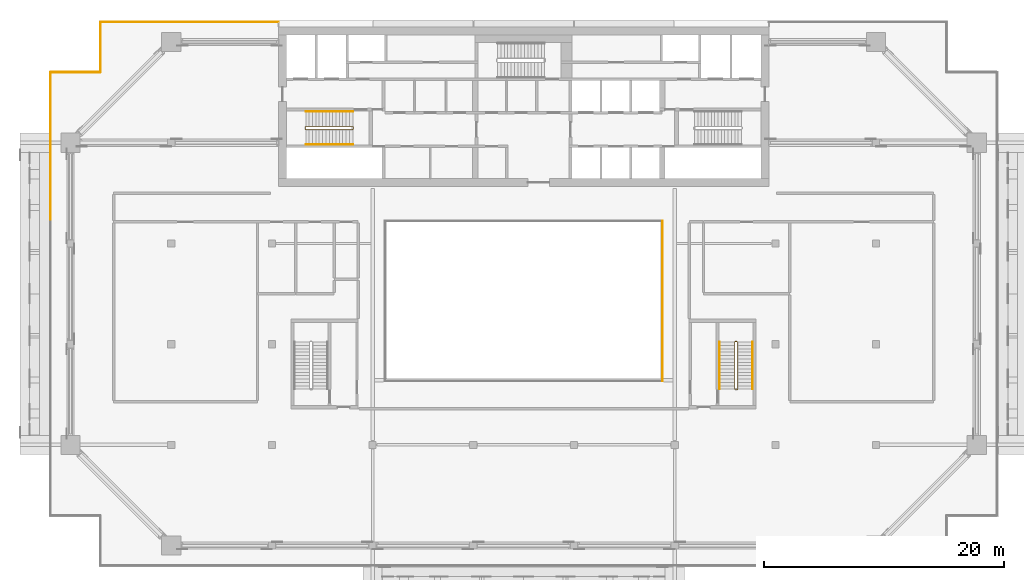
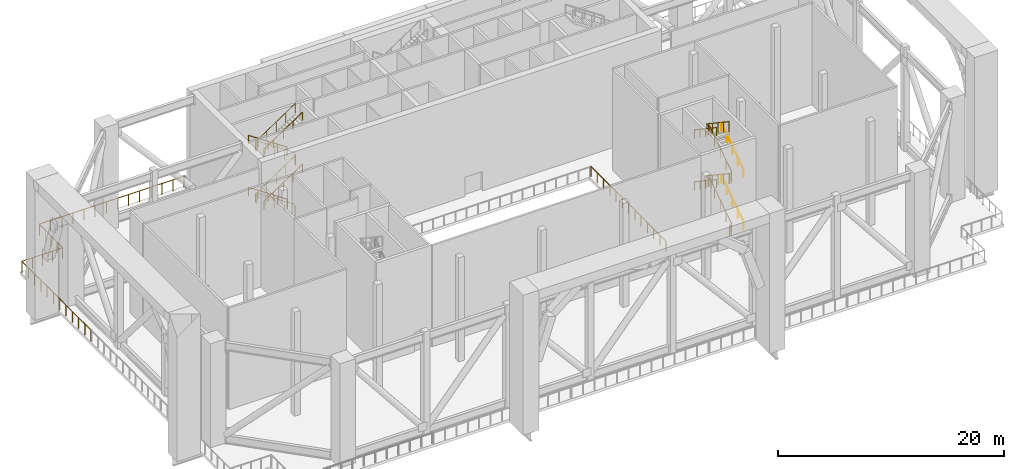
# One storey, part 17 of 19: 15 railings.
"""IFC4 building model written with IfcOpenShell, lengths in metres."""

from ifc_helpers import new_model, si_unit, direction, frame, origin, origin_2d, place, context, subcontext, project, spatial, circle, extrude, material, type_object, element, save


model = new_model("IFC4")

# Units and contexts
model_context = context("Model", 3, precision=1e-05, world=origin(), true_north=direction((0.0, 1.0)))
body_context = subcontext(model_context, "Body", "Model", "MODEL_VIEW")
ifc_project = project(units=[si_unit("LENGTHUNIT", "METRE"), si_unit("AREAUNIT", "SQUARE_METRE"), si_unit("VOLUMEUNIT", "CUBIC_METRE"), si_unit("PLANEANGLEUNIT", "RADIAN"), si_unit("MASSUNIT", "GRAM", prefix="KILO")], contexts=[model_context])

# Site, building, storey
site_placement = place(None, origin())
site = spatial("IfcSite", under=ifc_project, at=site_placement, CompositionType="ELEMENT")
building_placement = place(site_placement, origin())
building = spatial("IfcBuilding", under=site, at=building_placement, Name="Saffron Gate Tower", CompositionType="ELEMENT")
storey_placement = place(building_placement, frame((0.0, 0.0, 194.25)))
storey = spatial("IfcBuildingStorey", under=building, at=storey_placement, Name="L48", CompositionType="ELEMENT", Elevation=194.25)

# Railings
ifc_material_1 = material(Name="Stainless steel and laminated glass", Category="steel")
railing_type_1 = type_object("IfcRailingType", Name="AG1 Atrium edge guard 1100", PredefinedType="GUARDRAIL", material=ifc_material_1)
railing_1_placement = place(storey_placement, frame((99.179931640625, 58.860107421875, 0.0)))
element("IfcRailing", 1, at=railing_1_placement, inside=storey, type_object=railing_type_1, Name="Guard X2-3", PredefinedType="GUARDRAIL", context=body_context, shape_type="SweptSolid", body=[
    extrude(circle(Radius=0.02392578125, at=origin_2d()), frame((0.0, 0.0, 1.076171875), z_axis=(0.0, -1.0, 0.0), x_axis=(1.0, 0.0, 0.0)), (0.0, 0.0, 1.0), 13.320068359375),
    extrude(circle(Radius=0.02099609375, at=origin_2d()), origin(), (0.0, 0.0, 1.0), 1.052001953125),
    extrude(circle(Radius=0.02099609375, at=origin_2d()), frame((0.0, -1.110107421875, 0.0)), (0.0, 0.0, 1.0), 1.052001953125),
    extrude(circle(Radius=0.02099609375, at=origin_2d()), frame((0.0, -2.219970703125, 0.0)), (0.0, 0.0, 1.0), 1.052001953125),
    extrude(circle(Radius=0.02099609375, at=origin_2d()), frame((0.0, -3.330078125, 0.0)), (0.0, 0.0, 1.0), 1.052001953125),
    extrude(circle(Radius=0.02099609375, at=origin_2d()), frame((0.0, -4.43994140625, 0.0)), (0.0, 0.0, 1.0), 1.052001953125),
    extrude(circle(Radius=0.02099609375, at=origin_2d()), frame((0.0, -5.550048828125, 0.0)), (0.0, 0.0, 1.0), 1.052001953125),
    extrude(circle(Radius=0.02099609375, at=origin_2d()), frame((0.0, -6.66015625, 0.0)), (0.0, 0.0, 1.0), 1.052001953125),
    extrude(circle(Radius=0.02099609375, at=origin_2d()), frame((0.0, -7.77001953125, 0.0)), (0.0, 0.0, 1.0), 1.052001953125),
    extrude(circle(Radius=0.02099609375, at=origin_2d()), frame((0.0, -8.880126953125, 0.0)), (0.0, 0.0, 1.0), 1.052001953125),
    extrude(circle(Radius=0.02099609375, at=origin_2d()), frame((0.0, -9.989990234375, 0.0)), (0.0, 0.0, 1.0), 1.052001953125),
    extrude(circle(Radius=0.02099609375, at=origin_2d()), frame((0.0, -11.10009765625, 0.0)), (0.0, 0.0, 1.0), 1.052001953125),
    extrude(circle(Radius=0.02099609375, at=origin_2d()), frame((0.0, -12.2099609375, 0.0)), (0.0, 0.0, 1.0), 1.052001953125),
    extrude(circle(Radius=0.02099609375, at=origin_2d()), frame((0.0, -13.320068359375, 0.0)), (0.0, 0.0, 1.0), 1.052001953125),
])
ifc_material_2 = material(Name="Stainless steel posts and toughened glass infill", Category="steel")
railing_type_2 = type_object("IfcRailingType", Name="BAL1 balustrade 1200", PredefinedType="BALUSTRADE", material=ifc_material_2)
railing_2_placement = place(storey_placement, frame((67.14990234375, 75.47998046875, 0.0)))
element("IfcRailing", 2, at=railing_2_placement, inside=storey, type_object=railing_type_2, Name="GUARD portal deck edge", PredefinedType="BALUSTRADE", context=body_context, shape_type="SweptSolid", body=[
    extrude(circle(Radius=0.02392578125, at=origin_2d()), frame((0.0, 0.0, 1.17578125), z_axis=(-1.0, 0.0, 0.0), x_axis=(0.0, -1.0, 0.0)), (0.0, 0.0, 1.0), 14.789794921875),
    extrude(circle(Radius=0.02099609375, at=origin_2d()), origin(), (0.0, 0.0, 1.0), 1.15185546875),
    extrude(circle(Radius=0.02099609375, at=origin_2d()), frame((-1.1376953125, 0.0, 0.0)), (0.0, 0.0, 1.0), 1.15185546875),
    extrude(circle(Radius=0.02099609375, at=origin_2d()), frame((-2.275390625, 0.0, 0.0)), (0.0, 0.0, 1.0), 1.15185546875),
    extrude(circle(Radius=0.02099609375, at=origin_2d()), frame((-3.4130859375, 0.0, 0.0)), (0.0, 0.0, 1.0), 1.15185546875),
    extrude(circle(Radius=0.02099609375, at=origin_2d()), frame((-4.55078125, 0.0, 0.0)), (0.0, 0.0, 1.0), 1.15185546875),
    extrude(circle(Radius=0.02099609375, at=origin_2d()), frame((-5.6884765625, 0.0, 0.0)), (0.0, 0.0, 1.0), 1.15185546875),
    extrude(circle(Radius=0.02099609375, at=origin_2d()), frame((-6.826171875, 0.0, 0.0)), (0.0, 0.0, 1.0), 1.15185546875),
    extrude(circle(Radius=0.02099609375, at=origin_2d()), frame((-7.963623046875, 0.0, 0.0)), (0.0, 0.0, 1.0), 1.15185546875),
    extrude(circle(Radius=0.02099609375, at=origin_2d()), frame((-9.101318359375, 0.0, 0.0)), (0.0, 0.0, 1.0), 1.15185546875),
    extrude(circle(Radius=0.02099609375, at=origin_2d()), frame((-10.239013671875, 0.0, 0.0)), (0.0, 0.0, 1.0), 1.15185546875),
    extrude(circle(Radius=0.02099609375, at=origin_2d()), frame((-11.376708984375, 0.0, 0.0)), (0.0, 0.0, 1.0), 1.15185546875),
    extrude(circle(Radius=0.02099609375, at=origin_2d()), frame((-12.514404296875, 0.0, 0.0)), (0.0, 0.0, 1.0), 1.15185546875),
    extrude(circle(Radius=0.02099609375, at=origin_2d()), frame((-13.652099609375, 0.0, 0.0)), (0.0, 0.0, 1.0), 1.15185546875),
    extrude(circle(Radius=0.02099609375, at=origin_2d()), frame((-14.789794921875, 0.0, 0.0)), (0.0, 0.0, 1.0), 1.15185546875),
])
railing_3_placement = place(storey_placement, frame((52.320068359375, 75.43994140625, 0.0)))
element("IfcRailing", 3, at=railing_3_placement, inside=storey, type_object=railing_type_2, Name="GUARD portal deck edge", PredefinedType="BALUSTRADE", context=body_context, shape_type="SweptSolid", body=[
    extrude(circle(Radius=0.02392578125, at=origin_2d()), frame((0.0, 0.0, 1.17578125), z_axis=(0.0, -1.0, 0.0), x_axis=(1.0, 0.0, 0.0)), (0.0, 0.0, 1.0), 4.119873046875),
    extrude(circle(Radius=0.02099609375, at=origin_2d()), origin(), (0.0, 0.0, 1.0), 1.15185546875),
    extrude(circle(Radius=0.02099609375, at=origin_2d()), frame((0.0, -1.030029296875, 0.0)), (0.0, 0.0, 1.0), 1.15185546875),
    extrude(circle(Radius=0.02099609375, at=origin_2d()), frame((0.0, -2.06005859375, 0.0)), (0.0, 0.0, 1.0), 1.15185546875),
    extrude(circle(Radius=0.02099609375, at=origin_2d()), frame((0.0, -3.08984375, 0.0)), (0.0, 0.0, 1.0), 1.15185546875),
    extrude(circle(Radius=0.02099609375, at=origin_2d()), frame((0.0, -4.119873046875, 0.0)), (0.0, 0.0, 1.0), 1.15185546875),
])
railing_4_placement = place(storey_placement, frame((52.280029296875, 71.280029296875, 0.0)))
element("IfcRailing", 4, at=railing_4_placement, inside=storey, type_object=railing_type_2, Name="GUARD portal deck edge", PredefinedType="BALUSTRADE", context=body_context, shape_type="SweptSolid", body=[
    extrude(circle(Radius=0.02392578125, at=origin_2d()), frame((0.0, 0.0, 1.17578125), z_axis=(-1.0, 0.0, 0.0), x_axis=(0.0, -1.0, 0.0)), (0.0, 0.0, 1.0), 4.1201171875),
    extrude(circle(Radius=0.02099609375, at=origin_2d()), origin(), (0.0, 0.0, 1.0), 1.15185546875),
    extrude(circle(Radius=0.02099609375, at=origin_2d()), frame((-1.030029296875, 0.0, 0.0)), (0.0, 0.0, 1.0), 1.15185546875),
    extrude(circle(Radius=0.02099609375, at=origin_2d()), frame((-2.06005859375, 0.0, 0.0)), (0.0, 0.0, 1.0), 1.15185546875),
    extrude(circle(Radius=0.02099609375, at=origin_2d()), frame((-3.090087890625, 0.0, 0.0)), (0.0, 0.0, 1.0), 1.15185546875),
    extrude(circle(Radius=0.02099609375, at=origin_2d()), frame((-4.1201171875, 0.0, 0.0)), (0.0, 0.0, 1.0), 1.15185546875),
])
railing_5_placement = place(storey_placement, frame((48.1201171875, 71.239990234375, 0.0)))
element("IfcRailing", 5, at=railing_5_placement, inside=storey, type_object=railing_type_2, Name="GUARD portal deck edge", PredefinedType="BALUSTRADE", context=body_context, shape_type="SweptSolid", body=[
    extrude(circle(Radius=0.02392578125, at=origin_2d()), frame((0.0, 0.0, 1.17578125), z_axis=(0.0, -1.0, 0.0), x_axis=(1.0, 0.0, 0.0)), (0.0, 0.0, 1.0), 12.239990234375),
    extrude(circle(Radius=0.02099609375, at=origin_2d()), origin(), (0.0, 0.0, 1.0), 1.15185546875),
    extrude(circle(Radius=0.02099609375, at=origin_2d()), frame((0.0, -1.11279296875, 0.0)), (0.0, 0.0, 1.0), 1.15185546875),
    extrude(circle(Radius=0.02099609375, at=origin_2d()), frame((0.0, -2.225341796875, 0.0)), (0.0, 0.0, 1.0), 1.15185546875),
    extrude(circle(Radius=0.02099609375, at=origin_2d()), frame((0.0, -3.338134765625, 0.0)), (0.0, 0.0, 1.0), 1.15185546875),
    extrude(circle(Radius=0.02099609375, at=origin_2d()), frame((0.0, -4.450927734375, 0.0)), (0.0, 0.0, 1.0), 1.15185546875),
    extrude(circle(Radius=0.02099609375, at=origin_2d()), frame((0.0, -5.563720703125, 0.0)), (0.0, 0.0, 1.0), 1.15185546875),
    extrude(circle(Radius=0.02099609375, at=origin_2d()), frame((0.0, -6.67626953125, 0.0)), (0.0, 0.0, 1.0), 1.15185546875),
    extrude(circle(Radius=0.02099609375, at=origin_2d()), frame((0.0, -7.7890625, 0.0)), (0.0, 0.0, 1.0), 1.15185546875),
    extrude(circle(Radius=0.02099609375, at=origin_2d()), frame((0.0, -8.90185546875, 0.0)), (0.0, 0.0, 1.0), 1.15185546875),
    extrude(circle(Radius=0.02099609375, at=origin_2d()), frame((0.0, -10.0146484375, 0.0)), (0.0, 0.0, 1.0), 1.15185546875),
    extrude(circle(Radius=0.02099609375, at=origin_2d()), frame((0.0, -11.127197265625, 0.0)), (0.0, 0.0, 1.0), 1.15185546875),
    extrude(circle(Radius=0.02099609375, at=origin_2d()), frame((0.0, -12.239990234375, 0.0)), (0.0, 0.0, 1.0), 1.15185546875),
])
railing_type_3 = type_object("IfcRailingType", Name="CR1 Stair guard 1100", PredefinedType="GUARDRAIL", material=ifc_material_1)
railing_6_placement = place(storey_placement, frame((73.39990234375, 66.550048828125, 0.0)))
element("IfcRailing", 6, at=railing_6_placement, inside=storey, type_object=railing_type_3, Name="L48 ST-A stair guard 1", PredefinedType="GUARDRAIL", context=body_context, shape_type="SweptSolid", body=[
    extrude(circle(Radius=0.02392578125, at=origin_2d()), frame((0.0, 0.0, 1.076171875), z_axis=(0.0, 1.0, 0.0), x_axis=(-1.0, 0.0, 0.0)), (0.0, 0.0, 1.0), 0.14990234375),
    extrude(circle(Radius=0.02392578125, at=origin_2d()), frame((0.0, 0.14990234375, 1.076171875), z_axis=(-0.248583702486, 0.249802250048, 0.935844527007), x_axis=(-0.708833529934, -0.705375805398, 0.0)), (0.0, 0.0, 1.0), 0.200439453125),
    extrude(circle(Radius=0.02392578125, at=origin_2d()), frame((-0.0498046875, 0.199951171875, 1.263671875), z_axis=(-0.830918070988, 0.0, 0.556394787274), x_axis=(0.0, -1.0, 0.0)), (0.0, 0.0, 1.0), 4.7177734375),
    extrude(circle(Radius=0.02392578125, at=origin_2d()), frame((-3.969970703125, 0.199951171875, 3.888671875), z_axis=(-0.707106781187, -0.707106781187, 0.0), x_axis=(0.707106781187, -0.707106781187, 0.0)), (0.0, 0.0, 1.0), 0.07080078125),
    extrude(circle(Radius=0.02392578125, at=origin_2d()), frame((-4.02001953125, 0.14990234375, 3.888671875), z_axis=(0.0, -1.0, 0.0), x_axis=(1.0, 0.0, 0.0)), (0.0, 0.0, 1.0), 0.14990234375),
    extrude(circle(Radius=0.02392578125, at=origin_2d()), frame((-4.02001953125, 0.0, 3.888671875), z_axis=(0.249726431254, -0.249726431254, 0.935560483917), x_axis=(0.707106781187, 0.707106781187, 0.0)), (0.0, 0.0, 1.0), 0.200439453125),
    extrude(circle(Radius=0.02392578125, at=origin_2d()), frame((-3.969970703125, -0.050048828125, 4.076171875), z_axis=(0.830918070988, 0.0, 0.556394787274), x_axis=(0.0, 1.0, 0.0)), (0.0, 0.0, 1.0), 4.7177734375),
    extrude(circle(Radius=0.02392578125, at=origin_2d()), frame((-0.0498046875, -0.050048828125, 6.701171875), z_axis=(0.705375805398, 0.708833529934, 0.0), x_axis=(-0.708833529934, 0.705375805398, 0.0)), (0.0, 0.0, 1.0), 0.070556640625),
    extrude(circle(Radius=0.02392578125, at=origin_2d()), frame((0.0, 0.0, 6.701171875), z_axis=(0.0, 1.0, 0.0), x_axis=(-1.0, 0.0, 0.0)), (0.0, 0.0, 1.0), 0.14990234375),
    extrude(circle(Radius=0.02392578125, at=origin_2d()), frame((0.0, 0.14990234375, 6.701171875), z_axis=(-0.248583702486, 0.249802250048, 0.935844527007), x_axis=(-0.708833529934, -0.705375805398, 0.0)), (0.0, 0.0, 1.0), 0.200439453125),
    extrude(circle(Radius=0.02392578125, at=origin_2d()), frame((-0.0498046875, 0.199951171875, 6.888671875), z_axis=(-0.830918070988, 0.0, 0.556394787274), x_axis=(0.0, -1.0, 0.0)), (0.0, 0.0, 1.0), 4.7177734375),
    extrude(circle(Radius=0.02392578125, at=origin_2d()), frame((-3.969970703125, 0.199951171875, 9.513671875), z_axis=(-0.707106781187, -0.707106781187, 0.0), x_axis=(0.707106781187, -0.707106781187, 0.0)), (0.0, 0.0, 1.0), 0.07080078125),
    extrude(circle(Radius=0.02392578125, at=origin_2d()), frame((-4.02001953125, 0.14990234375, 9.513671875), z_axis=(0.0, -1.0, 0.0), x_axis=(1.0, 0.0, 0.0)), (0.0, 0.0, 1.0), 0.14990234375),
    extrude(circle(Radius=0.02392578125, at=origin_2d()), frame((-4.02001953125, 0.0, 9.513671875), z_axis=(0.249726431254, -0.249726431254, 0.935560483917), x_axis=(0.707106781187, 0.707106781187, 0.0)), (0.0, 0.0, 1.0), 0.200439453125),
    extrude(circle(Radius=0.02392578125, at=origin_2d()), frame((-3.969970703125, -0.050048828125, 9.701171875), z_axis=(0.830918070988, 0.0, 0.556394787274), x_axis=(0.0, 1.0, 0.0)), (0.0, 0.0, 1.0), 4.7177734375),
    extrude(circle(Radius=0.02099609375, at=origin_2d()), origin(), (0.0, 0.0, 1.0), 1.052001953125),
    extrude(circle(Radius=0.02099609375, at=origin_2d()), frame((0.0, 0.14990234375, 0.0)), (0.0, 0.0, 1.0), 1.052001953125),
    extrude(circle(Radius=0.02099609375, at=origin_2d()), frame((-0.0498046875, 0.199951171875, 0.1875)), (0.0, 0.0, 1.0), 1.052001953125),
    extrude(circle(Radius=0.02099609375, at=origin_2d()), frame((-1.02978515625, 0.199951171875, 0.84375)), (0.0, 0.0, 1.0), 1.052001953125),
    extrude(circle(Radius=0.02099609375, at=origin_2d()), frame((-2.009765625, 0.199951171875, 1.5)), (0.0, 0.0, 1.0), 1.052001953125),
    extrude(circle(Radius=0.02099609375, at=origin_2d()), frame((-2.989990234375, 0.199951171875, 2.15625)), (0.0, 0.0, 1.0), 1.052001953125),
    extrude(circle(Radius=0.02099609375, at=origin_2d()), frame((-3.969970703125, 0.199951171875, 2.8125)), (0.0, 0.0, 1.0), 1.052001953125),
    extrude(circle(Radius=0.02099609375, at=origin_2d()), frame((-4.02001953125, 0.14990234375, 2.8125)), (0.0, 0.0, 1.0), 1.052001953125),
    extrude(circle(Radius=0.02099609375, at=origin_2d()), frame((-4.02001953125, 0.0, 2.8125)), (0.0, 0.0, 1.0), 1.052001953125),
    extrude(circle(Radius=0.02099609375, at=origin_2d()), frame((-3.969970703125, -0.050048828125, 3.0)), (0.0, 0.0, 1.0), 1.052001953125),
    extrude(circle(Radius=0.02099609375, at=origin_2d()), frame((-2.989990234375, -0.050048828125, 3.65625)), (0.0, 0.0, 1.0), 1.052001953125),
    extrude(circle(Radius=0.02099609375, at=origin_2d()), frame((-2.009765625, -0.050048828125, 4.3125)), (0.0, 0.0, 1.0), 1.052001953125),
    extrude(circle(Radius=0.02099609375, at=origin_2d()), frame((-1.02978515625, -0.050048828125, 4.96875)), (0.0, 0.0, 1.0), 1.052001953125),
    extrude(circle(Radius=0.02099609375, at=origin_2d()), frame((-0.0498046875, -0.050048828125, 5.625)), (0.0, 0.0, 1.0), 1.052001953125),
    extrude(circle(Radius=0.02099609375, at=origin_2d()), frame((0.0, 0.0, 5.625)), (0.0, 0.0, 1.0), 1.052001953125),
    extrude(circle(Radius=0.02099609375, at=origin_2d()), frame((0.0, 0.14990234375, 5.625)), (0.0, 0.0, 1.0), 1.052001953125),
    extrude(circle(Radius=0.02099609375, at=origin_2d()), frame((-0.0498046875, 0.199951171875, 5.8125)), (0.0, 0.0, 1.0), 1.052001953125),
    extrude(circle(Radius=0.02099609375, at=origin_2d()), frame((-1.02978515625, 0.199951171875, 6.46875)), (0.0, 0.0, 1.0), 1.052001953125),
    extrude(circle(Radius=0.02099609375, at=origin_2d()), frame((-2.009765625, 0.199951171875, 7.125)), (0.0, 0.0, 1.0), 1.052001953125),
    extrude(circle(Radius=0.02099609375, at=origin_2d()), frame((-2.989990234375, 0.199951171875, 7.78125)), (0.0, 0.0, 1.0), 1.052001953125),
    extrude(circle(Radius=0.02099609375, at=origin_2d()), frame((-3.969970703125, 0.199951171875, 8.4375)), (0.0, 0.0, 1.0), 1.052001953125),
    extrude(circle(Radius=0.02099609375, at=origin_2d()), frame((-4.02001953125, 0.14990234375, 8.4375)), (0.0, 0.0, 1.0), 1.052001953125),
    extrude(circle(Radius=0.02099609375, at=origin_2d()), frame((-4.02001953125, 0.0, 8.4375)), (0.0, 0.0, 1.0), 1.052001953125),
    extrude(circle(Radius=0.02099609375, at=origin_2d()), frame((-3.969970703125, -0.050048828125, 8.625)), (0.0, 0.0, 1.0), 1.052001953125),
    extrude(circle(Radius=0.02099609375, at=origin_2d()), frame((-2.989990234375, -0.050048828125, 9.28125)), (0.0, 0.0, 1.0), 1.052001953125),
    extrude(circle(Radius=0.02099609375, at=origin_2d()), frame((-2.009765625, -0.050048828125, 9.9375)), (0.0, 0.0, 1.0), 1.052001953125),
    extrude(circle(Radius=0.02099609375, at=origin_2d()), frame((-1.02978515625, -0.050048828125, 10.59375)), (0.0, 0.0, 1.0), 1.052001953125),
    extrude(circle(Radius=0.02099609375, at=origin_2d()), frame((-0.0498046875, -0.050048828125, 11.25)), (0.0, 0.0, 1.0), 1.052001953125),
])
railing_7_placement = place(storey_placement, frame((105.25, 44.800048828125, 0.0)))
element("IfcRailing", 7, at=railing_7_placement, inside=storey, type_object=railing_type_3, Name="L48 ST-E stair guard 1", PredefinedType="GUARDRAIL", context=body_context, shape_type="SweptSolid", body=[
    extrude(circle(Radius=0.02392578125, at=origin_2d()), frame((0.0, 0.0, 1.076171875), z_axis=(1.0, 0.0, 0.0), x_axis=(0.0, 1.0, 0.0)), (0.0, 0.0, 1.0), 0.14990234375),
    extrude(circle(Radius=0.02392578125, at=origin_2d()), frame((0.14990234375, 0.0, 1.076171875), z_axis=(0.249726431254, 0.249726431254, 0.935560483917), x_axis=(-0.707106781187, 0.707106781187, 0.0)), (0.0, 0.0, 1.0), 0.200439453125),
    extrude(circle(Radius=0.02392578125, at=origin_2d()), frame((0.199951171875, 0.050048828125, 1.263671875), z_axis=(0.0, 0.830902050051, 0.556418712142), x_axis=(-1.0, 0.0, 0.0)), (0.0, 0.0, 1.0), 4.7177734375),
    extrude(circle(Radius=0.02392578125, at=origin_2d()), frame((0.199951171875, 3.969970703125, 3.888671875), z_axis=(-0.707106781187, 0.707106781187, 0.0), x_axis=(-0.707106781187, -0.707106781187, 0.0)), (0.0, 0.0, 1.0), 0.07080078125),
    extrude(circle(Radius=0.02392578125, at=origin_2d()), frame((0.14990234375, 4.02001953125, 3.888671875), z_axis=(-1.0, 0.0, 0.0), x_axis=(0.0, -1.0, 0.0)), (0.0, 0.0, 1.0), 0.14990234375),
    extrude(circle(Radius=0.02392578125, at=origin_2d()), frame((0.0, 4.02001953125, 3.888671875), z_axis=(-0.249726431254, -0.249726431254, 0.935560483917), x_axis=(0.707106781187, -0.707106781187, 0.0)), (0.0, 0.0, 1.0), 0.200439453125),
    extrude(circle(Radius=0.02392578125, at=origin_2d()), frame((-0.050048828125, 3.969970703125, 4.076171875), z_axis=(0.0, -0.830902050051, 0.556418712142), x_axis=(1.0, 0.0, 0.0)), (0.0, 0.0, 1.0), 4.7177734375),
    extrude(circle(Radius=0.02392578125, at=origin_2d()), frame((-0.050048828125, 0.050048828125, 6.701171875), z_axis=(0.707106781187, -0.707106781187, 0.0), x_axis=(0.707106781187, 0.707106781187, 0.0)), (0.0, 0.0, 1.0), 0.07080078125),
    extrude(circle(Radius=0.02392578125, at=origin_2d()), frame((0.0, 0.0, 6.701171875), z_axis=(1.0, 0.0, 0.0), x_axis=(0.0, 1.0, 0.0)), (0.0, 0.0, 1.0), 0.14990234375),
    extrude(circle(Radius=0.02392578125, at=origin_2d()), frame((0.14990234375, 0.0, 6.701171875), z_axis=(0.249726431254, 0.249726431254, 0.935560483917), x_axis=(-0.707106781187, 0.707106781187, 0.0)), (0.0, 0.0, 1.0), 0.200439453125),
    extrude(circle(Radius=0.02392578125, at=origin_2d()), frame((0.199951171875, 0.050048828125, 6.888671875), z_axis=(0.0, 0.830902050051, 0.556418712142), x_axis=(-1.0, 0.0, 0.0)), (0.0, 0.0, 1.0), 4.7177734375),
    extrude(circle(Radius=0.02392578125, at=origin_2d()), frame((0.199951171875, 3.969970703125, 9.513671875), z_axis=(-0.707106781187, 0.707106781187, 0.0), x_axis=(-0.707106781187, -0.707106781187, 0.0)), (0.0, 0.0, 1.0), 0.07080078125),
    extrude(circle(Radius=0.02392578125, at=origin_2d()), frame((0.14990234375, 4.02001953125, 9.513671875), z_axis=(-1.0, 0.0, 0.0), x_axis=(0.0, -1.0, 0.0)), (0.0, 0.0, 1.0), 0.14990234375),
    extrude(circle(Radius=0.02392578125, at=origin_2d()), frame((0.0, 4.02001953125, 9.513671875), z_axis=(-0.249726431254, -0.249726431254, 0.935560483917), x_axis=(0.707106781187, -0.707106781187, 0.0)), (0.0, 0.0, 1.0), 0.200439453125),
    extrude(circle(Radius=0.02392578125, at=origin_2d()), frame((-0.050048828125, 3.969970703125, 9.701171875), z_axis=(0.0, -0.830902050051, 0.556418712142), x_axis=(1.0, 0.0, 0.0)), (0.0, 0.0, 1.0), 4.7177734375),
    extrude(circle(Radius=0.02099609375, at=origin_2d()), origin(), (0.0, 0.0, 1.0), 1.052001953125),
    extrude(circle(Radius=0.02099609375, at=origin_2d()), frame((0.14990234375, 0.0, 0.0)), (0.0, 0.0, 1.0), 1.052001953125),
    extrude(circle(Radius=0.02099609375, at=origin_2d()), frame((0.199951171875, 0.050048828125, 0.1875)), (0.0, 0.0, 1.0), 1.052001953125),
    extrude(circle(Radius=0.02099609375, at=origin_2d()), frame((0.199951171875, 1.030029296875, 0.84375)), (0.0, 0.0, 1.0), 1.052001953125),
    extrude(circle(Radius=0.02099609375, at=origin_2d()), frame((0.199951171875, 2.010009765625, 1.5)), (0.0, 0.0, 1.0), 1.052001953125),
    extrude(circle(Radius=0.02099609375, at=origin_2d()), frame((0.199951171875, 2.989990234375, 2.15625)), (0.0, 0.0, 1.0), 1.052001953125),
    extrude(circle(Radius=0.02099609375, at=origin_2d()), frame((0.199951171875, 3.969970703125, 2.8125)), (0.0, 0.0, 1.0), 1.052001953125),
    extrude(circle(Radius=0.02099609375, at=origin_2d()), frame((0.14990234375, 4.02001953125, 2.8125)), (0.0, 0.0, 1.0), 1.052001953125),
    extrude(circle(Radius=0.02099609375, at=origin_2d()), frame((0.0, 4.02001953125, 2.8125)), (0.0, 0.0, 1.0), 1.052001953125),
    extrude(circle(Radius=0.02099609375, at=origin_2d()), frame((-0.050048828125, 3.969970703125, 3.0)), (0.0, 0.0, 1.0), 1.052001953125),
    extrude(circle(Radius=0.02099609375, at=origin_2d()), frame((-0.050048828125, 2.989990234375, 3.65625)), (0.0, 0.0, 1.0), 1.052001953125),
    extrude(circle(Radius=0.02099609375, at=origin_2d()), frame((-0.050048828125, 2.010009765625, 4.3125)), (0.0, 0.0, 1.0), 1.052001953125),
    extrude(circle(Radius=0.02099609375, at=origin_2d()), frame((-0.050048828125, 1.030029296875, 4.96875)), (0.0, 0.0, 1.0), 1.052001953125),
    extrude(circle(Radius=0.02099609375, at=origin_2d()), frame((-0.050048828125, 0.050048828125, 5.625)), (0.0, 0.0, 1.0), 1.052001953125),
    extrude(circle(Radius=0.02099609375, at=origin_2d()), frame((0.0, 0.0, 5.625)), (0.0, 0.0, 1.0), 1.052001953125),
    extrude(circle(Radius=0.02099609375, at=origin_2d()), frame((0.14990234375, 0.0, 5.625)), (0.0, 0.0, 1.0), 1.052001953125),
    extrude(circle(Radius=0.02099609375, at=origin_2d()), frame((0.199951171875, 0.050048828125, 5.8125)), (0.0, 0.0, 1.0), 1.052001953125),
    extrude(circle(Radius=0.02099609375, at=origin_2d()), frame((0.199951171875, 1.030029296875, 6.46875)), (0.0, 0.0, 1.0), 1.052001953125),
    extrude(circle(Radius=0.02099609375, at=origin_2d()), frame((0.199951171875, 2.010009765625, 7.125)), (0.0, 0.0, 1.0), 1.052001953125),
    extrude(circle(Radius=0.02099609375, at=origin_2d()), frame((0.199951171875, 2.989990234375, 7.78125)), (0.0, 0.0, 1.0), 1.052001953125),
    extrude(circle(Radius=0.02099609375, at=origin_2d()), frame((0.199951171875, 3.969970703125, 8.4375)), (0.0, 0.0, 1.0), 1.052001953125),
    extrude(circle(Radius=0.02099609375, at=origin_2d()), frame((0.14990234375, 4.02001953125, 8.4375)), (0.0, 0.0, 1.0), 1.052001953125),
    extrude(circle(Radius=0.02099609375, at=origin_2d()), frame((0.0, 4.02001953125, 8.4375)), (0.0, 0.0, 1.0), 1.052001953125),
    extrude(circle(Radius=0.02099609375, at=origin_2d()), frame((-0.050048828125, 3.969970703125, 8.625)), (0.0, 0.0, 1.0), 1.052001953125),
    extrude(circle(Radius=0.02099609375, at=origin_2d()), frame((-0.050048828125, 2.989990234375, 9.28125)), (0.0, 0.0, 1.0), 1.052001953125),
    extrude(circle(Radius=0.02099609375, at=origin_2d()), frame((-0.050048828125, 2.010009765625, 9.9375)), (0.0, 0.0, 1.0), 1.052001953125),
    extrude(circle(Radius=0.02099609375, at=origin_2d()), frame((-0.050048828125, 1.030029296875, 10.59375)), (0.0, 0.0, 1.0), 1.052001953125),
    extrude(circle(Radius=0.02099609375, at=origin_2d()), frame((-0.050048828125, 0.050048828125, 11.25)), (0.0, 0.0, 1.0), 1.052001953125),
])
ifc_material_3 = material(Name="Stainless steel", Category="steel")
railing_type_4 = type_object("IfcRailingType", Name="CR2 Stair handrail 900", PredefinedType="HANDRAIL", material=ifc_material_3)
railing_8_placement = place(storey_placement, frame((73.35009765625, 68.0, 0.1875)))
element("IfcRailing", 8, at=railing_8_placement, inside=storey, type_object=railing_type_4, Name="L48 ST-A stair handrail 1", PredefinedType="HANDRAIL", context=body_context, shape_type="SweptSolid", body=[
    extrude(circle(Radius=0.02392578125, at=origin_2d()), frame((0.0, 0.0, 0.8759765625), z_axis=(-0.830918070988, 0.0, 0.556394787274), x_axis=(0.0, -1.0, 0.0)), (0.0, 0.0, 1.0), 4.7177734375),
    extrude(circle(Radius=0.02099609375, at=origin_2d()), origin(), (0.0, 0.0, 1.0), 0.851806640625),
    extrude(circle(Radius=0.02099609375, at=origin_2d()), frame((-0.97998046875, 0.0, 0.65625)), (0.0, 0.0, 1.0), 0.851806640625),
    extrude(circle(Radius=0.02099609375, at=origin_2d()), frame((-1.9599609375, 0.0, 1.3125)), (0.0, 0.0, 1.0), 0.851806640625),
    extrude(circle(Radius=0.02099609375, at=origin_2d()), frame((-2.940185546875, 0.0, 1.96875)), (0.0, 0.0, 1.0), 0.851806640625),
    extrude(circle(Radius=0.02099609375, at=origin_2d()), frame((-3.920166015625, 0.0, 2.625)), (0.0, 0.0, 1.0), 0.851806640625),
])
railing_9_placement = place(storey_placement, frame((69.429931640625, 65.25, 3.0)))
element("IfcRailing", 9, at=railing_9_placement, inside=storey, type_object=railing_type_4, Name="L48 ST-A stair handrail 2", PredefinedType="HANDRAIL", context=body_context, shape_type="SweptSolid", body=[
    extrude(circle(Radius=0.02392578125, at=origin_2d()), frame((0.0, 0.0, 0.8759765625), z_axis=(0.830918070988, 0.0, 0.556394787274), x_axis=(0.0, 1.0, 0.0)), (0.0, 0.0, 1.0), 4.7177734375),
    extrude(circle(Radius=0.02099609375, at=origin_2d()), origin(), (0.0, 0.0, 1.0), 0.851806640625),
    extrude(circle(Radius=0.02099609375, at=origin_2d()), frame((0.97998046875, 0.0, 0.65625)), (0.0, 0.0, 1.0), 0.851806640625),
    extrude(circle(Radius=0.02099609375, at=origin_2d()), frame((1.9599609375, 0.0, 1.3125)), (0.0, 0.0, 1.0), 0.851806640625),
    extrude(circle(Radius=0.02099609375, at=origin_2d()), frame((2.940185546875, 0.0, 1.96875)), (0.0, 0.0, 1.0), 0.851806640625),
    extrude(circle(Radius=0.02099609375, at=origin_2d()), frame((3.920166015625, 0.0, 2.625)), (0.0, 0.0, 1.0), 0.851806640625),
])
railing_10_placement = place(storey_placement, frame((73.35009765625, 68.0, 5.8125)))
element("IfcRailing", 10, at=railing_10_placement, inside=storey, type_object=railing_type_4, Name="L48 ST-A stair handrail 3", PredefinedType="HANDRAIL", context=body_context, shape_type="SweptSolid", body=[
    extrude(circle(Radius=0.02392578125, at=origin_2d()), frame((0.0, 0.0, 0.8759765625), z_axis=(-0.830918070988, 0.0, 0.556394787274), x_axis=(0.0, -1.0, 0.0)), (0.0, 0.0, 1.0), 4.7177734375),
    extrude(circle(Radius=0.02099609375, at=origin_2d()), origin(), (0.0, 0.0, 1.0), 0.851806640625),
    extrude(circle(Radius=0.02099609375, at=origin_2d()), frame((-0.97998046875, 0.0, 0.65625)), (0.0, 0.0, 1.0), 0.851806640625),
    extrude(circle(Radius=0.02099609375, at=origin_2d()), frame((-1.9599609375, 0.0, 1.3125)), (0.0, 0.0, 1.0), 0.851806640625),
    extrude(circle(Radius=0.02099609375, at=origin_2d()), frame((-2.940185546875, 0.0, 1.96875)), (0.0, 0.0, 1.0), 0.851806640625),
    extrude(circle(Radius=0.02099609375, at=origin_2d()), frame((-3.920166015625, 0.0, 2.625)), (0.0, 0.0, 1.0), 0.851806640625),
])
railing_11_placement = place(storey_placement, frame((69.429931640625, 65.25, 8.625)))
element("IfcRailing", 11, at=railing_11_placement, inside=storey, type_object=railing_type_4, Name="L48 ST-A stair handrail 4", PredefinedType="HANDRAIL", context=body_context, shape_type="SweptSolid", body=[
    extrude(circle(Radius=0.02392578125, at=origin_2d()), frame((0.0, 0.0, 0.8759765625), z_axis=(0.830918070988, 0.0, 0.556394787274), x_axis=(0.0, 1.0, 0.0)), (0.0, 0.0, 1.0), 4.7177734375),
    extrude(circle(Radius=0.02099609375, at=origin_2d()), origin(), (0.0, 0.0, 1.0), 0.851806640625),
    extrude(circle(Radius=0.02099609375, at=origin_2d()), frame((0.97998046875, 0.0, 0.65625)), (0.0, 0.0, 1.0), 0.851806640625),
    extrude(circle(Radius=0.02099609375, at=origin_2d()), frame((1.9599609375, 0.0, 1.3125)), (0.0, 0.0, 1.0), 0.851806640625),
    extrude(circle(Radius=0.02099609375, at=origin_2d()), frame((2.940185546875, 0.0, 1.96875)), (0.0, 0.0, 1.0), 0.851806640625),
    extrude(circle(Radius=0.02099609375, at=origin_2d()), frame((3.920166015625, 0.0, 2.625)), (0.0, 0.0, 1.0), 0.851806640625),
])
railing_12_placement = place(storey_placement, frame((106.699951171875, 44.85009765625, 0.1875)))
element("IfcRailing", 12, at=railing_12_placement, inside=storey, type_object=railing_type_4, Name="L48 ST-E stair handrail 1", PredefinedType="HANDRAIL", context=body_context, shape_type="SweptSolid", body=[
    extrude(circle(Radius=0.02392578125, at=origin_2d()), frame((0.0, 0.0, 0.8759765625), z_axis=(0.0, 0.830902050051, 0.556418712142), x_axis=(-1.0, 0.0, 0.0)), (0.0, 0.0, 1.0), 4.7177734375),
    extrude(circle(Radius=0.02099609375, at=origin_2d()), origin(), (0.0, 0.0, 1.0), 0.851806640625),
    extrude(circle(Radius=0.02099609375, at=origin_2d()), frame((0.0, 0.97998046875, 0.65625)), (0.0, 0.0, 1.0), 0.851806640625),
    extrude(circle(Radius=0.02099609375, at=origin_2d()), frame((0.0, 1.9599609375, 1.3125)), (0.0, 0.0, 1.0), 0.851806640625),
    extrude(circle(Radius=0.02099609375, at=origin_2d()), frame((0.0, 2.93994140625, 1.96875)), (0.0, 0.0, 1.0), 0.851806640625),
    extrude(circle(Radius=0.02099609375, at=origin_2d()), frame((0.0, 3.919921875, 2.625)), (0.0, 0.0, 1.0), 0.851806640625),
])
railing_13_placement = place(storey_placement, frame((103.949951171875, 48.77001953125, 3.0)))
element("IfcRailing", 13, at=railing_13_placement, inside=storey, type_object=railing_type_4, Name="L48 ST-E stair handrail 2", PredefinedType="HANDRAIL", context=body_context, shape_type="SweptSolid", body=[
    extrude(circle(Radius=0.02392578125, at=origin_2d()), frame((0.0, 0.0, 0.8759765625), z_axis=(0.0, -0.830902050051, 0.556418712142), x_axis=(1.0, 0.0, 0.0)), (0.0, 0.0, 1.0), 4.7177734375),
    extrude(circle(Radius=0.02099609375, at=origin_2d()), origin(), (0.0, 0.0, 1.0), 0.851806640625),
    extrude(circle(Radius=0.02099609375, at=origin_2d()), frame((0.0, -0.97998046875, 0.65625)), (0.0, 0.0, 1.0), 0.851806640625),
    extrude(circle(Radius=0.02099609375, at=origin_2d()), frame((0.0, -1.9599609375, 1.3125)), (0.0, 0.0, 1.0), 0.851806640625),
    extrude(circle(Radius=0.02099609375, at=origin_2d()), frame((0.0, -2.93994140625, 1.96875)), (0.0, 0.0, 1.0), 0.851806640625),
    extrude(circle(Radius=0.02099609375, at=origin_2d()), frame((0.0, -3.919921875, 2.625)), (0.0, 0.0, 1.0), 0.851806640625),
])
railing_14_placement = place(storey_placement, frame((106.699951171875, 44.85009765625, 5.8125)))
element("IfcRailing", 14, at=railing_14_placement, inside=storey, type_object=railing_type_4, Name="L48 ST-E stair handrail 3", PredefinedType="HANDRAIL", context=body_context, shape_type="SweptSolid", body=[
    extrude(circle(Radius=0.02392578125, at=origin_2d()), frame((0.0, 0.0, 0.8759765625), z_axis=(0.0, 0.830902050051, 0.556418712142), x_axis=(-1.0, 0.0, 0.0)), (0.0, 0.0, 1.0), 4.7177734375),
    extrude(circle(Radius=0.02099609375, at=origin_2d()), origin(), (0.0, 0.0, 1.0), 0.851806640625),
    extrude(circle(Radius=0.02099609375, at=origin_2d()), frame((0.0, 0.97998046875, 0.65625)), (0.0, 0.0, 1.0), 0.851806640625),
    extrude(circle(Radius=0.02099609375, at=origin_2d()), frame((0.0, 1.9599609375, 1.3125)), (0.0, 0.0, 1.0), 0.851806640625),
    extrude(circle(Radius=0.02099609375, at=origin_2d()), frame((0.0, 2.93994140625, 1.96875)), (0.0, 0.0, 1.0), 0.851806640625),
    extrude(circle(Radius=0.02099609375, at=origin_2d()), frame((0.0, 3.919921875, 2.625)), (0.0, 0.0, 1.0), 0.851806640625),
])
railing_15_placement = place(storey_placement, frame((103.949951171875, 48.77001953125, 8.625)))
element("IfcRailing", 15, at=railing_15_placement, inside=storey, type_object=railing_type_4, Name="L48 ST-E stair handrail 4", PredefinedType="HANDRAIL", context=body_context, shape_type="SweptSolid", body=[
    extrude(circle(Radius=0.02392578125, at=origin_2d()), frame((0.0, 0.0, 0.8759765625), z_axis=(0.0, -0.830902050051, 0.556418712142), x_axis=(1.0, 0.0, 0.0)), (0.0, 0.0, 1.0), 4.7177734375),
    extrude(circle(Radius=0.02099609375, at=origin_2d()), origin(), (0.0, 0.0, 1.0), 0.851806640625),
    extrude(circle(Radius=0.02099609375, at=origin_2d()), frame((0.0, -0.97998046875, 0.65625)), (0.0, 0.0, 1.0), 0.851806640625),
    extrude(circle(Radius=0.02099609375, at=origin_2d()), frame((0.0, -1.9599609375, 1.3125)), (0.0, 0.0, 1.0), 0.851806640625),
    extrude(circle(Radius=0.02099609375, at=origin_2d()), frame((0.0, -2.93994140625, 1.96875)), (0.0, 0.0, 1.0), 0.851806640625),
    extrude(circle(Radius=0.02099609375, at=origin_2d()), frame((0.0, -3.919921875, 2.625)), (0.0, 0.0, 1.0), 0.851806640625),
])

save(model, "model.ifc")
